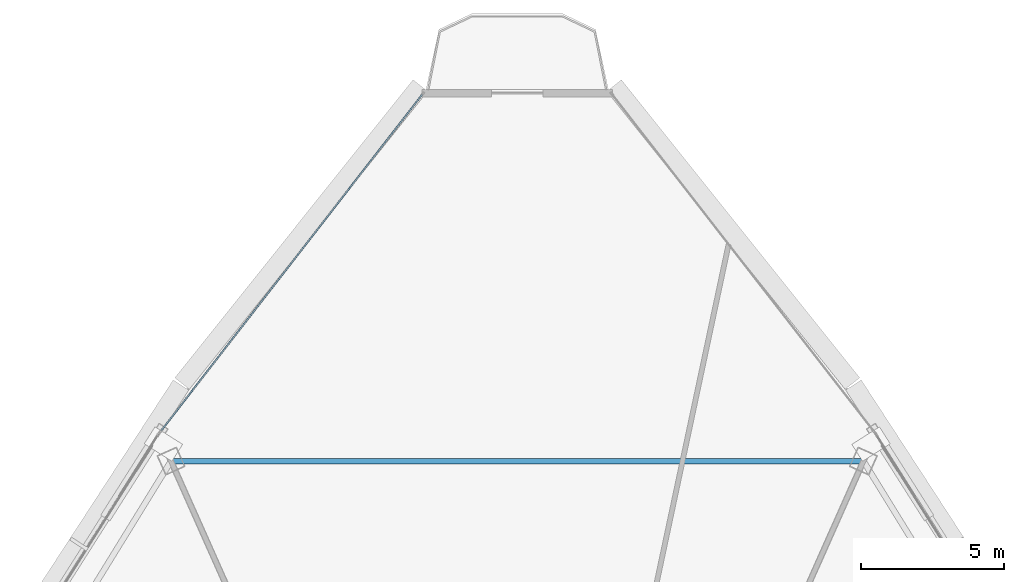
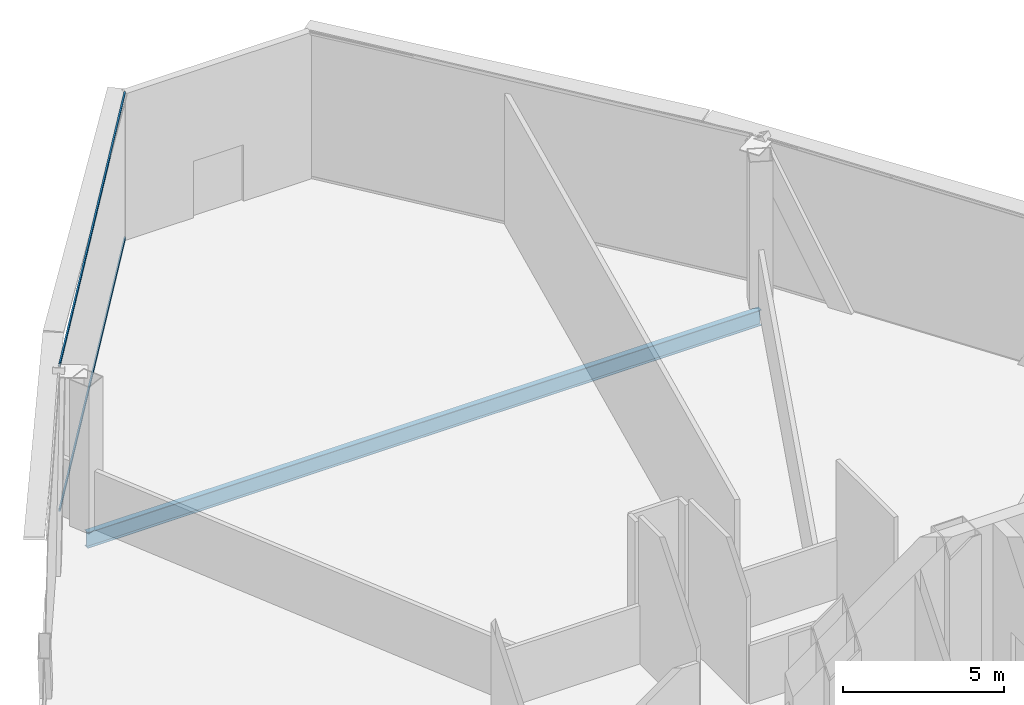
# One storey, part 21 of 33: 2 members, 1 beam, 1 element without a shape of its own.
"""IFC4 building model written with IfcOpenShell, lengths in metres."""

from ifc_helpers import new_model, si_unit, direction, frame, origin, origin_2d, place, context, subcontext, project, spatial, hollow_rectangle, i_section, extrude, source, transform, mapped, material, layer, layer_set, material_profile, profile_set, type_object, element, aggregate, save


model = new_model("IFC4")

# Units and contexts
model_context = context("Model", 3, precision=1e-05, world=origin(), true_north=direction((0.0, 1.0)))
body_context = subcontext(model_context, "Body", "Model", "MODEL_VIEW")
ifc_project = project(units=[si_unit("LENGTHUNIT", "METRE"), si_unit("AREAUNIT", "SQUARE_METRE"), si_unit("VOLUMEUNIT", "CUBIC_METRE"), si_unit("PLANEANGLEUNIT", "RADIAN"), si_unit("MASSUNIT", "GRAM", prefix="KILO"), si_unit("THERMODYNAMICTEMPERATUREUNIT", "KELVIN"), si_unit("POWERUNIT", "WATT")], contexts=[model_context])

# Site, building, storey
site_placement = place(None, origin())
site = spatial("IfcSite", under=ifc_project, at=site_placement, CompositionType="ELEMENT")
building_placement = place(site_placement, origin())
building = spatial("IfcBuilding", under=site, at=building_placement, Name="Yunzhuo Pagoda Commons", CompositionType="ELEMENT")
storey_placement = place(building_placement, frame((0.0, 0.0, 314.860107421875)))
storey = spatial("IfcBuildingStorey", under=building, at=storey_placement, Name="L79", CompositionType="ELEMENT", Elevation=314.860107421875)

# Beam
ifc_material_1 = material(Name="Structural steel Q355B", Category="steel")
ifc_material_profile_1 = material_profile(ifc_material_1, i_section(OverallWidth=0.199951171875, OverallDepth=0.60009765625, WebThickness=0.010986328125, FlangeThickness=0.01708984375, at=origin_2d()), Name="Structural steel Q355B")
ifc_profile_set_1 = profile_set([ifc_material_profile_1], Name="Structural steel Q355B")
beam_type = type_object("IfcBeamType", Name="B-RG3 Beam HN 600x200x11x17", PredefinedType="BEAM", material=ifc_profile_set_1)
shared_shape_1 = source(origin(), body_context, "Body", "SweptSolid", [
    extrude(i_section(OverallWidth=0.199951171875, OverallDepth=0.60009765625, WebThickness=0.010986328125, FlangeThickness=0.01708984375, at=origin_2d()), origin(), (0.0, 0.0, 1.0), 24.228515625),
])
beam_placement = place(storey_placement, frame((60.1142578125, 60.9091796875, -0.56005859375), z_axis=(-1.0, 0.0, 0.0), x_axis=(0.0, -1.0, 0.0)))
element("IfcBeam", 1, at=beam_placement, inside=storey, type_object=beam_type, Name="L79 column-ring beam 8", PredefinedType="BEAM", context=body_context, shape_type="MappedRepresentation", body=[
    mapped(shared_shape_1, transform((0.0, 0.0, 0.0), scale=1.0)),
])

# Curtain wall, members
ifc_material_2 = material(Name="Anodized aluminium 6063-T6", Category="aluminium")
ifc_layer = layer(ifc_material_2, 0.139892578125)
ifc_layer_set = layer_set([ifc_layer], Name="Anodized aluminium 6063-T6")
curtain_wall_type = type_object("IfcCurtainWallType", Name="CW-HI High-Zone Ribbon Curtain Wall", PredefinedType="NOTDEFINED", material=ifc_layer_set)
curtain_wall_placement = place(storey_placement, origin())
curtain_wall = element("IfcCurtainWall", 2, at=curtain_wall_placement, inside=storey, type_object=curtain_wall_type, Name="L79 curtain wall CW-L79-F3B1", PredefinedType="NOTDEFINED")
ifc_material_profile_2 = material_profile(ifc_material_2, hollow_rectangle(XDim=0.054931640625, YDim=0.1201171875, WallThickness=0.00341796875, at=origin_2d()), Name="Anodized aluminium 6063-T6")
ifc_profile_set_2 = profile_set([ifc_material_profile_2], Name="Anodized aluminium 6063-T6")
member_type = type_object("IfcMemberType", Name="CW-HI-T Transom RHS 120x55x3.5", PredefinedType="USERDEFINED", material=ifc_profile_set_2)
shared_shape_2 = source(origin(), body_context, "Body", "SweptSolid", [
    extrude(hollow_rectangle(XDim=0.054931640625, YDim=0.1201171875, WallThickness=0.00341796875, at=origin_2d()), origin(), (0.0, 0.0, 1.0), 14.89453125),
])
member_1_placement = place(storey_placement, frame((44.677490234375, 73.738525390625, 0.02734375), z_axis=(-0.613382144037, -0.789786265629, 0.0), x_axis=(0.789786265629, -0.613382144037, 0.0)))
member_1 = element("IfcMember", 3, at=member_1_placement, type_object=member_type, Name="CW transom 1.1", ObjectType="TRANSOM", PredefinedType="USERDEFINED", context=body_context, shape_type="MappedRepresentation", body=[
    mapped(shared_shape_2, transform((0.0, 0.0, 0.0), scale=1.0)),
])
member_2_placement = place(storey_placement, frame((44.677490234375, 73.738525390625, 5.54248046875), z_axis=(-0.613382144037, -0.789786265629, 0.0), x_axis=(0.789786265629, -0.613382144037, 0.0)))
member_2 = element("IfcMember", 4, at=member_2_placement, type_object=member_type, Name="CW transom 1.2", ObjectType="TRANSOM", PredefinedType="USERDEFINED", context=body_context, shape_type="MappedRepresentation", body=[
    mapped(shared_shape_2, transform((0.0, 0.0, 0.0), scale=1.0)),
])
aggregate(curtain_wall, [member_1, member_2])

save(model, "model.ifc")
